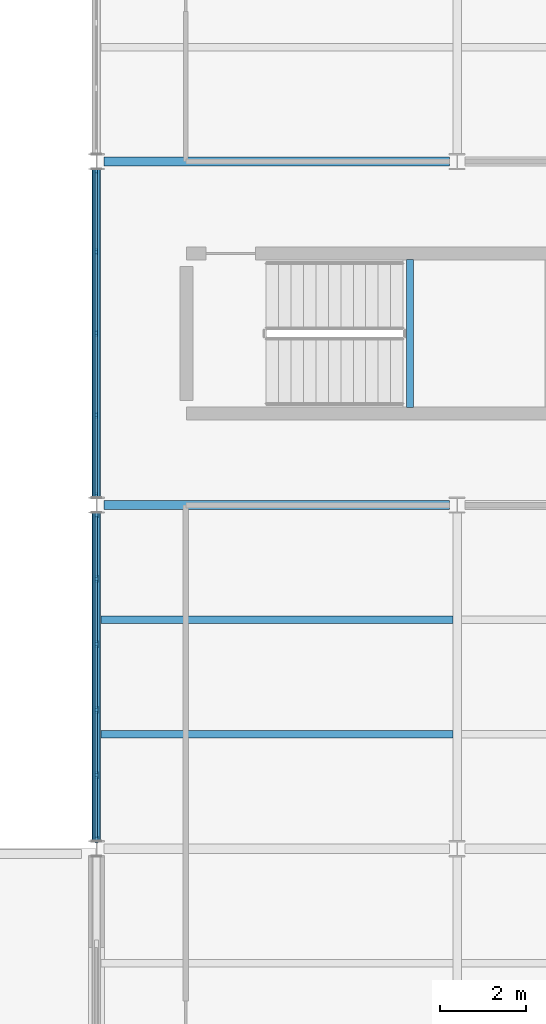
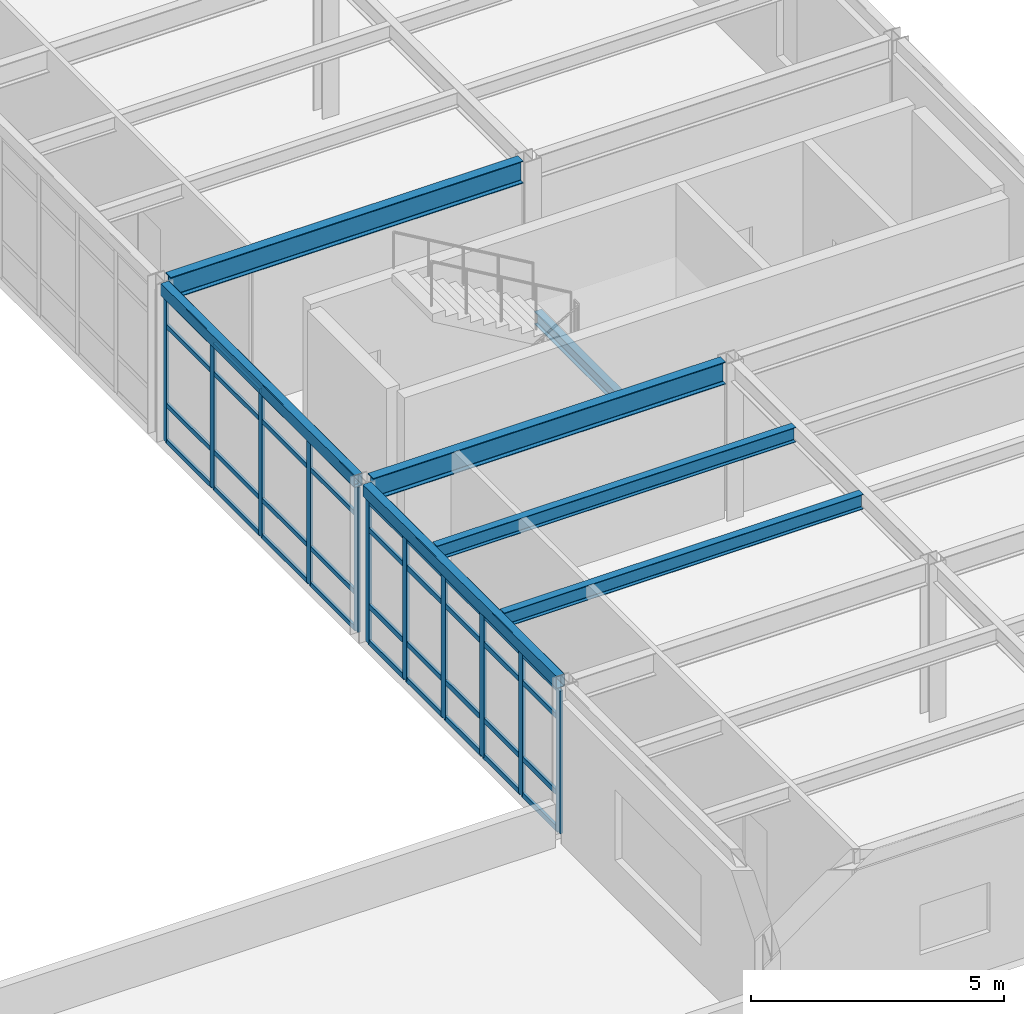
# One storey, part 52 of 138: 47 members, 7 beams, 2 elements without a shape of their own.
"""IFC4 building model written with IfcOpenShell, lengths in metres."""

from ifc_helpers import new_model, si_unit, direction, frame, origin, origin_2d, place, context, subcontext, project, spatial, rectangle, hollow_rectangle, i_section, extrude, material, layer, layer_set, material_profile, profile_set, type_object, element, aggregate, save


model = new_model("IFC4")

# Units and contexts
model_context = context("Model", 3, precision=1e-05, world=origin(), true_north=direction((0.0, 1.0)))
body_context = subcontext(model_context, "Body", "Model", "MODEL_VIEW")
ifc_project = project(units=[si_unit("LENGTHUNIT", "METRE"), si_unit("AREAUNIT", "SQUARE_METRE"), si_unit("VOLUMEUNIT", "CUBIC_METRE"), si_unit("PLANEANGLEUNIT", "RADIAN"), si_unit("MASSUNIT", "GRAM", prefix="KILO")], contexts=[model_context])

# Site, building, storey
site_placement = place(None, origin())
site = spatial("IfcSite", under=ifc_project, at=site_placement, CompositionType="ELEMENT")
building_placement = place(site_placement, origin())
building = spatial("IfcBuilding", under=site, at=building_placement, Name="Kranzveld Transit Interchange", CompositionType="ELEMENT")
storey_placement = place(building_placement, frame((0.0, 0.0, 5.43994140625)))
storey = spatial("IfcBuildingStorey", under=building, at=storey_placement, Name="L01", CompositionType="ELEMENT", Elevation=5.43994140625)

# Curtain wall, members
ifc_material_1 = material(Name="Bronze-anodised thermally broken aluminium", Category="aluminium")
ifc_layer_1 = layer(ifc_material_1, 0.159912109375)
ifc_layer_set_1 = layer_set([ifc_layer_1], Name="Bronze-anodised thermally broken aluminium")
curtain_wall_type_1 = type_object("IfcCurtainWallType", Name="Bus Boarding Glazed Screen CW-3", PredefinedType="USERDEFINED", material=ifc_layer_set_1)
curtain_wall_1_placement = place(storey_placement, origin())
curtain_wall_1 = element("IfcCurtainWall", 1, at=curtain_wall_1_placement, inside=storey, type_object=curtain_wall_type_1, Name="L01 Curtain Wall 19/K-19/L", ObjectType="CURTAIN WALL", PredefinedType="USERDEFINED")
ifc_material_2 = material(Name="Bronze-anodised thermally broken aluminium", Category="aluminium")
ifc_material_profile_1 = material_profile(ifc_material_2, rectangle(XDim=0.06005859375, YDim=0.14990234375, at=origin_2d()), Name="ALU MULLION 60x150")
ifc_profile_set_1 = profile_set([ifc_material_profile_1], Name="Bronze-anodised thermally broken aluminium")
member_type_1 = type_object("IfcMemberType", Name="Curtain Wall Mullion 60x150 Alu", PredefinedType="MULLION", material=ifc_profile_set_1)
member_1_placement = place(storey_placement, frame((151.199951171875, 72.21728515625, 0.0), z_axis=(0.0, 0.0, 1.0), x_axis=(-1.0, 0.0, 0.0)))
member_1 = element("IfcMember", 2, at=member_1_placement, type_object=member_type_1, Name="CW-3 mullion 1", PredefinedType="MULLION", context=body_context, shape_type="SweptSolid", body=[
    extrude(rectangle(XDim=0.06005859375, YDim=0.14990234375, at=origin_2d()), origin(), (0.0, 0.0, 1.0), 3.5),
])
member_2_placement = place(storey_placement, frame((151.199951171875, 74.09375, 0.0), z_axis=(0.0, 0.0, 1.0), x_axis=(-1.0, 0.0, 0.0)))
member_2 = element("IfcMember", 3, at=member_2_placement, type_object=member_type_1, Name="CW-3 mullion 2", PredefinedType="MULLION", context=body_context, shape_type="SweptSolid", body=[
    extrude(rectangle(XDim=0.06005859375, YDim=0.14990234375, at=origin_2d()), origin(), (0.0, 0.0, 1.0), 3.5),
])
member_3_placement = place(storey_placement, frame((151.199951171875, 76.0, 0.0), z_axis=(0.0, 0.0, 1.0), x_axis=(-1.0, 0.0, 0.0)))
member_3 = element("IfcMember", 4, at=member_3_placement, type_object=member_type_1, Name="CW-3 mullion 3", PredefinedType="MULLION", context=body_context, shape_type="SweptSolid", body=[
    extrude(rectangle(XDim=0.06005859375, YDim=0.14990234375, at=origin_2d()), origin(), (0.0, 0.0, 1.0), 3.5),
])
member_4_placement = place(storey_placement, frame((151.199951171875, 77.90625, 0.0), z_axis=(0.0, 0.0, 1.0), x_axis=(-1.0, 0.0, 0.0)))
member_4 = element("IfcMember", 5, at=member_4_placement, type_object=member_type_1, Name="CW-3 mullion 4", PredefinedType="MULLION", context=body_context, shape_type="SweptSolid", body=[
    extrude(rectangle(XDim=0.06005859375, YDim=0.14990234375, at=origin_2d()), origin(), (0.0, 0.0, 1.0), 3.5),
])
member_5_placement = place(storey_placement, frame((151.199951171875, 79.78271484375, 0.0), z_axis=(0.0, 0.0, 1.0), x_axis=(-1.0, 0.0, 0.0)))
member_5 = element("IfcMember", 6, at=member_5_placement, type_object=member_type_1, Name="CW-3 mullion 5", PredefinedType="MULLION", context=body_context, shape_type="SweptSolid", body=[
    extrude(rectangle(XDim=0.06005859375, YDim=0.14990234375, at=origin_2d()), origin(), (0.0, 0.0, 1.0), 3.5),
])

ifc_material_3 = material(Name="Bronze-anodised thermally broken aluminium", Category="aluminium")
ifc_layer_2 = layer(ifc_material_3, 0.1650390625)
ifc_layer_set_2 = layer_set([ifc_layer_2], Name="Bronze-anodised thermally broken aluminium")
curtain_wall_type_2 = type_object("IfcCurtainWallType", Name="Sunny Court Arcade Curtain Wall CW-2", PredefinedType="USERDEFINED", material=ifc_layer_set_2)
curtain_wall_2_placement = place(storey_placement, origin())
curtain_wall_2 = element("IfcCurtainWall", 7, at=curtain_wall_2_placement, inside=storey, type_object=curtain_wall_type_2, Name="L01 Curtain Wall 19/J-19/K", ObjectType="CURTAIN WALL", PredefinedType="USERDEFINED")
ifc_material_4 = material(Name="Bronze-anodised thermally broken aluminium", Category="aluminium")
ifc_material_profile_2 = material_profile(ifc_material_4, rectangle(XDim=0.06494140625, YDim=0.1650390625, at=origin_2d()), Name="ALU MULLION 65x165")
ifc_profile_set_2 = profile_set([ifc_material_profile_2], Name="Bronze-anodised thermally broken aluminium")
member_type_2 = type_object("IfcMemberType", Name="Curtain Wall Mullion 65x165 Alu", PredefinedType="MULLION", material=ifc_profile_set_2)
member_6_placement = place(storey_placement, frame((151.199951171875, 64.2197265625, 0.0), z_axis=(0.0, 0.0, 1.0), x_axis=(-1.0, 0.0, 0.0)))
member_6 = element("IfcMember", 8, at=member_6_placement, type_object=member_type_2, Name="CW-2 mullion 1", PredefinedType="MULLION", context=body_context, shape_type="SweptSolid", body=[
    extrude(rectangle(XDim=0.06494140625, YDim=0.1650390625, at=origin_2d()), origin(), (0.0, 0.0, 1.0), 3.442138671875),
])
member_7_placement = place(storey_placement, frame((151.199951171875, 65.71240234375, 0.0), z_axis=(0.0, 0.0, 1.0), x_axis=(-1.0, 0.0, 0.0)))
member_7 = element("IfcMember", 9, at=member_7_placement, type_object=member_type_2, Name="CW-2 mullion 2", PredefinedType="MULLION", context=body_context, shape_type="SweptSolid", body=[
    extrude(rectangle(XDim=0.06494140625, YDim=0.1650390625, at=origin_2d()), origin(), (0.0, 0.0, 1.0), 3.442138671875),
])
member_8_placement = place(storey_placement, frame((151.199951171875, 67.237548828125, 0.0), z_axis=(0.0, 0.0, 1.0), x_axis=(-1.0, 0.0, 0.0)))
member_8 = element("IfcMember", 10, at=member_8_placement, type_object=member_type_2, Name="CW-2 mullion 3", PredefinedType="MULLION", context=body_context, shape_type="SweptSolid", body=[
    extrude(rectangle(XDim=0.06494140625, YDim=0.1650390625, at=origin_2d()), origin(), (0.0, 0.0, 1.0), 3.442138671875),
])
member_9_placement = place(storey_placement, frame((151.199951171875, 68.762451171875, 0.0), z_axis=(0.0, 0.0, 1.0), x_axis=(-1.0, 0.0, 0.0)))
member_9 = element("IfcMember", 11, at=member_9_placement, type_object=member_type_2, Name="CW-2 mullion 4", PredefinedType="MULLION", context=body_context, shape_type="SweptSolid", body=[
    extrude(rectangle(XDim=0.06494140625, YDim=0.1650390625, at=origin_2d()), origin(), (0.0, 0.0, 1.0), 3.442138671875),
])
member_10_placement = place(storey_placement, frame((151.199951171875, 70.28759765625, 0.0), z_axis=(0.0, 0.0, 1.0), x_axis=(-1.0, 0.0, 0.0)))
member_10 = element("IfcMember", 12, at=member_10_placement, type_object=member_type_2, Name="CW-2 mullion 5", PredefinedType="MULLION", context=body_context, shape_type="SweptSolid", body=[
    extrude(rectangle(XDim=0.06494140625, YDim=0.1650390625, at=origin_2d()), origin(), (0.0, 0.0, 1.0), 3.442138671875),
])
member_11_placement = place(storey_placement, frame((151.199951171875, 71.7802734375, 0.0), z_axis=(0.0, 0.0, 1.0), x_axis=(-1.0, 0.0, 0.0)))
member_11 = element("IfcMember", 13, at=member_11_placement, type_object=member_type_2, Name="CW-2 mullion 6", PredefinedType="MULLION", context=body_context, shape_type="SweptSolid", body=[
    extrude(rectangle(XDim=0.06494140625, YDim=0.1650390625, at=origin_2d()), origin(), (0.0, 0.0, 1.0), 3.442138671875),
])

# Member
ifc_material_5 = material(Name="Bronze-anodised thermally broken aluminium", Category="aluminium")
ifc_material_profile_3 = material_profile(ifc_material_5, rectangle(XDim=0.06005859375, YDim=0.110107421875, at=origin_2d()), Name="ALU TRANSOM 60x110")
ifc_profile_set_3 = profile_set([ifc_material_profile_3], Name="Bronze-anodised thermally broken aluminium")
member_type_3 = type_object("IfcMemberType", Name="Curtain Wall Transom 60x110 Alu", PredefinedType="USERDEFINED", material=ifc_profile_set_3)
member_12_placement = place(storey_placement, frame((151.199951171875, 72.247314453125, 0.030029296875), z_axis=(0.0, 1.0, 0.0), x_axis=(-1.0, 0.0, 0.0)))
member_12 = element("IfcMember", 14, at=member_12_placement, type_object=member_type_3, Name="CW-3 transom 1.1", ObjectType="TRANSOM", PredefinedType="USERDEFINED", context=body_context, shape_type="SweptSolid", body=[
    extrude(rectangle(XDim=0.06005859375, YDim=0.110107421875, at=origin_2d()), origin(), (0.0, 0.0, 1.0), 1.81640625),
])

member_13_placement = place(storey_placement, frame((151.199951171875, 72.247314453125, 0.900146484375), z_axis=(0.0, 1.0, 0.0), x_axis=(-1.0, 0.0, 0.0)))
member_13 = element("IfcMember", 15, at=member_13_placement, type_object=member_type_3, Name="CW-3 transom 1.2", ObjectType="TRANSOM", PredefinedType="USERDEFINED", context=body_context, shape_type="SweptSolid", body=[
    extrude(rectangle(XDim=0.06005859375, YDim=0.110107421875, at=origin_2d()), origin(), (0.0, 0.0, 1.0), 1.81640625),
])

member_14_placement = place(storey_placement, frame((151.199951171875, 72.247314453125, 2.800048828125), z_axis=(0.0, 1.0, 0.0), x_axis=(-1.0, 0.0, 0.0)))
member_14 = element("IfcMember", 16, at=member_14_placement, type_object=member_type_3, Name="CW-3 transom 1.3", ObjectType="TRANSOM", PredefinedType="USERDEFINED", context=body_context, shape_type="SweptSolid", body=[
    extrude(rectangle(XDim=0.06005859375, YDim=0.110107421875, at=origin_2d()), origin(), (0.0, 0.0, 1.0), 1.81640625),
])

member_15_placement = place(storey_placement, frame((151.199951171875, 72.247314453125, 3.469970703125), z_axis=(0.0, 1.0, 0.0), x_axis=(-1.0, 0.0, 0.0)))
member_15 = element("IfcMember", 17, at=member_15_placement, type_object=member_type_3, Name="CW-3 transom 1.4", ObjectType="TRANSOM", PredefinedType="USERDEFINED", context=body_context, shape_type="SweptSolid", body=[
    extrude(rectangle(XDim=0.06005859375, YDim=0.110107421875, at=origin_2d()), origin(), (0.0, 0.0, 1.0), 1.81640625),
])

member_16_placement = place(storey_placement, frame((151.199951171875, 74.12353515625, 0.030029296875), z_axis=(0.0, 1.0, 0.0), x_axis=(-1.0, 0.0, 0.0)))
member_16 = element("IfcMember", 18, at=member_16_placement, type_object=member_type_3, Name="CW-3 transom 2.1", ObjectType="TRANSOM", PredefinedType="USERDEFINED", context=body_context, shape_type="SweptSolid", body=[
    extrude(rectangle(XDim=0.06005859375, YDim=0.110107421875, at=origin_2d()), origin(), (0.0, 0.0, 1.0), 1.846435546875),
])

member_17_placement = place(storey_placement, frame((151.199951171875, 74.12353515625, 0.900146484375), z_axis=(0.0, 1.0, 0.0), x_axis=(-1.0, 0.0, 0.0)))
member_17 = element("IfcMember", 19, at=member_17_placement, type_object=member_type_3, Name="CW-3 transom 2.2", ObjectType="TRANSOM", PredefinedType="USERDEFINED", context=body_context, shape_type="SweptSolid", body=[
    extrude(rectangle(XDim=0.06005859375, YDim=0.110107421875, at=origin_2d()), origin(), (0.0, 0.0, 1.0), 1.846435546875),
])

member_18_placement = place(storey_placement, frame((151.199951171875, 74.12353515625, 2.800048828125), z_axis=(0.0, 1.0, 0.0), x_axis=(-1.0, 0.0, 0.0)))
member_18 = element("IfcMember", 20, at=member_18_placement, type_object=member_type_3, Name="CW-3 transom 2.3", ObjectType="TRANSOM", PredefinedType="USERDEFINED", context=body_context, shape_type="SweptSolid", body=[
    extrude(rectangle(XDim=0.06005859375, YDim=0.110107421875, at=origin_2d()), origin(), (0.0, 0.0, 1.0), 1.846435546875),
])

member_19_placement = place(storey_placement, frame((151.199951171875, 74.12353515625, 3.469970703125), z_axis=(0.0, 1.0, 0.0), x_axis=(-1.0, 0.0, 0.0)))
member_19 = element("IfcMember", 21, at=member_19_placement, type_object=member_type_3, Name="CW-3 transom 2.4", ObjectType="TRANSOM", PredefinedType="USERDEFINED", context=body_context, shape_type="SweptSolid", body=[
    extrude(rectangle(XDim=0.06005859375, YDim=0.110107421875, at=origin_2d()), origin(), (0.0, 0.0, 1.0), 1.846435546875),
])

member_20_placement = place(storey_placement, frame((151.199951171875, 76.030029296875, 0.030029296875), z_axis=(0.0, 1.0, 0.0), x_axis=(-1.0, 0.0, 0.0)))
member_20 = element("IfcMember", 22, at=member_20_placement, type_object=member_type_3, Name="CW-3 transom 3.1", ObjectType="TRANSOM", PredefinedType="USERDEFINED", context=body_context, shape_type="SweptSolid", body=[
    extrude(rectangle(XDim=0.06005859375, YDim=0.110107421875, at=origin_2d()), origin(), (0.0, 0.0, 1.0), 1.846435546875),
])

member_21_placement = place(storey_placement, frame((151.199951171875, 76.030029296875, 0.900146484375), z_axis=(0.0, 1.0, 0.0), x_axis=(-1.0, 0.0, 0.0)))
member_21 = element("IfcMember", 23, at=member_21_placement, type_object=member_type_3, Name="CW-3 transom 3.2", ObjectType="TRANSOM", PredefinedType="USERDEFINED", context=body_context, shape_type="SweptSolid", body=[
    extrude(rectangle(XDim=0.06005859375, YDim=0.110107421875, at=origin_2d()), origin(), (0.0, 0.0, 1.0), 1.846435546875),
])

member_22_placement = place(storey_placement, frame((151.199951171875, 76.030029296875, 2.800048828125), z_axis=(0.0, 1.0, 0.0), x_axis=(-1.0, 0.0, 0.0)))
member_22 = element("IfcMember", 24, at=member_22_placement, type_object=member_type_3, Name="CW-3 transom 3.3", ObjectType="TRANSOM", PredefinedType="USERDEFINED", context=body_context, shape_type="SweptSolid", body=[
    extrude(rectangle(XDim=0.06005859375, YDim=0.110107421875, at=origin_2d()), origin(), (0.0, 0.0, 1.0), 1.846435546875),
])

member_23_placement = place(storey_placement, frame((151.199951171875, 76.030029296875, 3.469970703125), z_axis=(0.0, 1.0, 0.0), x_axis=(-1.0, 0.0, 0.0)))
member_23 = element("IfcMember", 25, at=member_23_placement, type_object=member_type_3, Name="CW-3 transom 3.4", ObjectType="TRANSOM", PredefinedType="USERDEFINED", context=body_context, shape_type="SweptSolid", body=[
    extrude(rectangle(XDim=0.06005859375, YDim=0.110107421875, at=origin_2d()), origin(), (0.0, 0.0, 1.0), 1.846435546875),
])

member_24_placement = place(storey_placement, frame((151.199951171875, 77.936279296875, 0.030029296875), z_axis=(0.0, 1.0, 0.0), x_axis=(-1.0, 0.0, 0.0)))
member_24 = element("IfcMember", 26, at=member_24_placement, type_object=member_type_3, Name="CW-3 transom 4.1", ObjectType="TRANSOM", PredefinedType="USERDEFINED", context=body_context, shape_type="SweptSolid", body=[
    extrude(rectangle(XDim=0.06005859375, YDim=0.110107421875, at=origin_2d()), origin(), (0.0, 0.0, 1.0), 1.81640625),
])

member_25_placement = place(storey_placement, frame((151.199951171875, 77.936279296875, 0.900146484375), z_axis=(0.0, 1.0, 0.0), x_axis=(-1.0, 0.0, 0.0)))
member_25 = element("IfcMember", 27, at=member_25_placement, type_object=member_type_3, Name="CW-3 transom 4.2", ObjectType="TRANSOM", PredefinedType="USERDEFINED", context=body_context, shape_type="SweptSolid", body=[
    extrude(rectangle(XDim=0.06005859375, YDim=0.110107421875, at=origin_2d()), origin(), (0.0, 0.0, 1.0), 1.81640625),
])

member_26_placement = place(storey_placement, frame((151.199951171875, 77.936279296875, 2.800048828125), z_axis=(0.0, 1.0, 0.0), x_axis=(-1.0, 0.0, 0.0)))
member_26 = element("IfcMember", 28, at=member_26_placement, type_object=member_type_3, Name="CW-3 transom 4.3", ObjectType="TRANSOM", PredefinedType="USERDEFINED", context=body_context, shape_type="SweptSolid", body=[
    extrude(rectangle(XDim=0.06005859375, YDim=0.110107421875, at=origin_2d()), origin(), (0.0, 0.0, 1.0), 1.81640625),
])

member_27_placement = place(storey_placement, frame((151.199951171875, 77.936279296875, 3.469970703125), z_axis=(0.0, 1.0, 0.0), x_axis=(-1.0, 0.0, 0.0)))
member_27 = element("IfcMember", 29, at=member_27_placement, type_object=member_type_3, Name="CW-3 transom 4.4", ObjectType="TRANSOM", PredefinedType="USERDEFINED", context=body_context, shape_type="SweptSolid", body=[
    extrude(rectangle(XDim=0.06005859375, YDim=0.110107421875, at=origin_2d()), origin(), (0.0, 0.0, 1.0), 1.81640625),
])

aggregate(curtain_wall_1, [member_1, member_2, member_3, member_4, member_5, member_12, member_13, member_14, member_15, member_16, member_17, member_18, member_19, member_20, member_21, member_22, member_23, member_24, member_25, member_26, member_27])

ifc_material_6 = material(Name="Bronze-anodised thermally broken aluminium", Category="aluminium")
ifc_material_profile_4 = material_profile(ifc_material_6, rectangle(XDim=0.06005859375, YDim=0.125, at=origin_2d()), Name="ALU TRANSOM 60x125")
ifc_profile_set_4 = profile_set([ifc_material_profile_4], Name="Bronze-anodised thermally broken aluminium")
member_type_4 = type_object("IfcMemberType", Name="Curtain Wall Transom 60x125 Alu", PredefinedType="USERDEFINED", material=ifc_profile_set_4)
member_28_placement = place(storey_placement, frame((151.199951171875, 64.252197265625, 0.030029296875), z_axis=(0.0, 1.0, 0.0), x_axis=(-1.0, 0.0, 0.0)))
member_28 = element("IfcMember", 30, at=member_28_placement, type_object=member_type_4, Name="CW-2 transom 1.1", ObjectType="TRANSOM", PredefinedType="USERDEFINED", context=body_context, shape_type="SweptSolid", body=[
    extrude(rectangle(XDim=0.06005859375, YDim=0.125, at=origin_2d()), origin(), (0.0, 0.0, 1.0), 1.427734375),
])

member_29_placement = place(storey_placement, frame((151.199951171875, 64.252197265625, 0.900146484375), z_axis=(0.0, 1.0, 0.0), x_axis=(-1.0, 0.0, 0.0)))
member_29 = element("IfcMember", 31, at=member_29_placement, type_object=member_type_4, Name="CW-2 transom 1.2", ObjectType="TRANSOM", PredefinedType="USERDEFINED", context=body_context, shape_type="SweptSolid", body=[
    extrude(rectangle(XDim=0.06005859375, YDim=0.125, at=origin_2d()), origin(), (0.0, 0.0, 1.0), 1.427734375),
])

member_30_placement = place(storey_placement, frame((151.199951171875, 64.252197265625, 2.741943359375), z_axis=(0.0, 1.0, 0.0), x_axis=(-1.0, 0.0, 0.0)))
member_30 = element("IfcMember", 32, at=member_30_placement, type_object=member_type_4, Name="CW-2 transom 1.3", ObjectType="TRANSOM", PredefinedType="USERDEFINED", context=body_context, shape_type="SweptSolid", body=[
    extrude(rectangle(XDim=0.06005859375, YDim=0.125, at=origin_2d()), origin(), (0.0, 0.0, 1.0), 1.427734375),
])

member_31_placement = place(storey_placement, frame((151.199951171875, 64.252197265625, 3.412109375), z_axis=(0.0, 1.0, 0.0), x_axis=(-1.0, 0.0, 0.0)))
member_31 = element("IfcMember", 33, at=member_31_placement, type_object=member_type_4, Name="CW-2 transom 1.4", ObjectType="TRANSOM", PredefinedType="USERDEFINED", context=body_context, shape_type="SweptSolid", body=[
    extrude(rectangle(XDim=0.06005859375, YDim=0.125, at=origin_2d()), origin(), (0.0, 0.0, 1.0), 1.427734375),
])

member_32_placement = place(storey_placement, frame((151.199951171875, 65.744873046875, 0.030029296875), z_axis=(0.0, 1.0, 0.0), x_axis=(-1.0, 0.0, 0.0)))
member_32 = element("IfcMember", 34, at=member_32_placement, type_object=member_type_4, Name="CW-2 transom 2.1", ObjectType="TRANSOM", PredefinedType="USERDEFINED", context=body_context, shape_type="SweptSolid", body=[
    extrude(rectangle(XDim=0.06005859375, YDim=0.125, at=origin_2d()), origin(), (0.0, 0.0, 1.0), 1.460205078125),
])

member_33_placement = place(storey_placement, frame((151.199951171875, 65.744873046875, 0.900146484375), z_axis=(0.0, 1.0, 0.0), x_axis=(-1.0, 0.0, 0.0)))
member_33 = element("IfcMember", 35, at=member_33_placement, type_object=member_type_4, Name="CW-2 transom 2.2", ObjectType="TRANSOM", PredefinedType="USERDEFINED", context=body_context, shape_type="SweptSolid", body=[
    extrude(rectangle(XDim=0.06005859375, YDim=0.125, at=origin_2d()), origin(), (0.0, 0.0, 1.0), 1.460205078125),
])

member_34_placement = place(storey_placement, frame((151.199951171875, 65.744873046875, 2.741943359375), z_axis=(0.0, 1.0, 0.0), x_axis=(-1.0, 0.0, 0.0)))
member_34 = element("IfcMember", 36, at=member_34_placement, type_object=member_type_4, Name="CW-2 transom 2.3", ObjectType="TRANSOM", PredefinedType="USERDEFINED", context=body_context, shape_type="SweptSolid", body=[
    extrude(rectangle(XDim=0.06005859375, YDim=0.125, at=origin_2d()), origin(), (0.0, 0.0, 1.0), 1.460205078125),
])

member_35_placement = place(storey_placement, frame((151.199951171875, 65.744873046875, 3.412109375), z_axis=(0.0, 1.0, 0.0), x_axis=(-1.0, 0.0, 0.0)))
member_35 = element("IfcMember", 37, at=member_35_placement, type_object=member_type_4, Name="CW-2 transom 2.4", ObjectType="TRANSOM", PredefinedType="USERDEFINED", context=body_context, shape_type="SweptSolid", body=[
    extrude(rectangle(XDim=0.06005859375, YDim=0.125, at=origin_2d()), origin(), (0.0, 0.0, 1.0), 1.460205078125),
])

member_36_placement = place(storey_placement, frame((151.199951171875, 67.27001953125, 0.030029296875), z_axis=(0.0, 1.0, 0.0), x_axis=(-1.0, 0.0, 0.0)))
member_36 = element("IfcMember", 38, at=member_36_placement, type_object=member_type_4, Name="CW-2 transom 3.1", ObjectType="TRANSOM", PredefinedType="USERDEFINED", context=body_context, shape_type="SweptSolid", body=[
    extrude(rectangle(XDim=0.06005859375, YDim=0.125, at=origin_2d()), origin(), (0.0, 0.0, 1.0), 1.4599609375),
])

member_37_placement = place(storey_placement, frame((151.199951171875, 67.27001953125, 0.900146484375), z_axis=(0.0, 1.0, 0.0), x_axis=(-1.0, 0.0, 0.0)))
member_37 = element("IfcMember", 39, at=member_37_placement, type_object=member_type_4, Name="CW-2 transom 3.2", ObjectType="TRANSOM", PredefinedType="USERDEFINED", context=body_context, shape_type="SweptSolid", body=[
    extrude(rectangle(XDim=0.06005859375, YDim=0.125, at=origin_2d()), origin(), (0.0, 0.0, 1.0), 1.4599609375),
])

member_38_placement = place(storey_placement, frame((151.199951171875, 67.27001953125, 2.741943359375), z_axis=(0.0, 1.0, 0.0), x_axis=(-1.0, 0.0, 0.0)))
member_38 = element("IfcMember", 40, at=member_38_placement, type_object=member_type_4, Name="CW-2 transom 3.3", ObjectType="TRANSOM", PredefinedType="USERDEFINED", context=body_context, shape_type="SweptSolid", body=[
    extrude(rectangle(XDim=0.06005859375, YDim=0.125, at=origin_2d()), origin(), (0.0, 0.0, 1.0), 1.4599609375),
])

member_39_placement = place(storey_placement, frame((151.199951171875, 67.27001953125, 3.412109375), z_axis=(0.0, 1.0, 0.0), x_axis=(-1.0, 0.0, 0.0)))
member_39 = element("IfcMember", 41, at=member_39_placement, type_object=member_type_4, Name="CW-2 transom 3.4", ObjectType="TRANSOM", PredefinedType="USERDEFINED", context=body_context, shape_type="SweptSolid", body=[
    extrude(rectangle(XDim=0.06005859375, YDim=0.125, at=origin_2d()), origin(), (0.0, 0.0, 1.0), 1.4599609375),
])

member_40_placement = place(storey_placement, frame((151.199951171875, 68.794921875, 0.030029296875), z_axis=(0.0, 1.0, 0.0), x_axis=(-1.0, 0.0, 0.0)))
member_40 = element("IfcMember", 42, at=member_40_placement, type_object=member_type_4, Name="CW-2 transom 4.1", ObjectType="TRANSOM", PredefinedType="USERDEFINED", context=body_context, shape_type="SweptSolid", body=[
    extrude(rectangle(XDim=0.06005859375, YDim=0.125, at=origin_2d()), origin(), (0.0, 0.0, 1.0), 1.460205078125),
])

member_41_placement = place(storey_placement, frame((151.199951171875, 68.794921875, 0.900146484375), z_axis=(0.0, 1.0, 0.0), x_axis=(-1.0, 0.0, 0.0)))
member_41 = element("IfcMember", 43, at=member_41_placement, type_object=member_type_4, Name="CW-2 transom 4.2", ObjectType="TRANSOM", PredefinedType="USERDEFINED", context=body_context, shape_type="SweptSolid", body=[
    extrude(rectangle(XDim=0.06005859375, YDim=0.125, at=origin_2d()), origin(), (0.0, 0.0, 1.0), 1.460205078125),
])

member_42_placement = place(storey_placement, frame((151.199951171875, 68.794921875, 2.741943359375), z_axis=(0.0, 1.0, 0.0), x_axis=(-1.0, 0.0, 0.0)))
member_42 = element("IfcMember", 44, at=member_42_placement, type_object=member_type_4, Name="CW-2 transom 4.3", ObjectType="TRANSOM", PredefinedType="USERDEFINED", context=body_context, shape_type="SweptSolid", body=[
    extrude(rectangle(XDim=0.06005859375, YDim=0.125, at=origin_2d()), origin(), (0.0, 0.0, 1.0), 1.460205078125),
])

member_43_placement = place(storey_placement, frame((151.199951171875, 68.794921875, 3.412109375), z_axis=(0.0, 1.0, 0.0), x_axis=(-1.0, 0.0, 0.0)))
member_43 = element("IfcMember", 45, at=member_43_placement, type_object=member_type_4, Name="CW-2 transom 4.4", ObjectType="TRANSOM", PredefinedType="USERDEFINED", context=body_context, shape_type="SweptSolid", body=[
    extrude(rectangle(XDim=0.06005859375, YDim=0.125, at=origin_2d()), origin(), (0.0, 0.0, 1.0), 1.460205078125),
])

member_44_placement = place(storey_placement, frame((151.199951171875, 70.320068359375, 0.030029296875), z_axis=(0.0, 1.0, 0.0), x_axis=(-1.0, 0.0, 0.0)))
member_44 = element("IfcMember", 46, at=member_44_placement, type_object=member_type_4, Name="CW-2 transom 5.1", ObjectType="TRANSOM", PredefinedType="USERDEFINED", context=body_context, shape_type="SweptSolid", body=[
    extrude(rectangle(XDim=0.06005859375, YDim=0.125, at=origin_2d()), origin(), (0.0, 0.0, 1.0), 1.427734375),
])

member_45_placement = place(storey_placement, frame((151.199951171875, 70.320068359375, 0.900146484375), z_axis=(0.0, 1.0, 0.0), x_axis=(-1.0, 0.0, 0.0)))
member_45 = element("IfcMember", 47, at=member_45_placement, type_object=member_type_4, Name="CW-2 transom 5.2", ObjectType="TRANSOM", PredefinedType="USERDEFINED", context=body_context, shape_type="SweptSolid", body=[
    extrude(rectangle(XDim=0.06005859375, YDim=0.125, at=origin_2d()), origin(), (0.0, 0.0, 1.0), 1.427734375),
])

member_46_placement = place(storey_placement, frame((151.199951171875, 70.320068359375, 2.741943359375), z_axis=(0.0, 1.0, 0.0), x_axis=(-1.0, 0.0, 0.0)))
member_46 = element("IfcMember", 48, at=member_46_placement, type_object=member_type_4, Name="CW-2 transom 5.3", ObjectType="TRANSOM", PredefinedType="USERDEFINED", context=body_context, shape_type="SweptSolid", body=[
    extrude(rectangle(XDim=0.06005859375, YDim=0.125, at=origin_2d()), origin(), (0.0, 0.0, 1.0), 1.427734375),
])

member_47_placement = place(storey_placement, frame((151.199951171875, 70.320068359375, 3.412109375), z_axis=(0.0, 1.0, 0.0), x_axis=(-1.0, 0.0, 0.0)))
member_47 = element("IfcMember", 49, at=member_47_placement, type_object=member_type_4, Name="CW-2 transom 5.4", ObjectType="TRANSOM", PredefinedType="USERDEFINED", context=body_context, shape_type="SweptSolid", body=[
    extrude(rectangle(XDim=0.06005859375, YDim=0.125, at=origin_2d()), origin(), (0.0, 0.0, 1.0), 1.427734375),
])

aggregate(curtain_wall_2, [member_6, member_7, member_8, member_9, member_10, member_11, member_28, member_29, member_30, member_31, member_32, member_33, member_34, member_35, member_36, member_37, member_38, member_39, member_40, member_41, member_42, member_43, member_44, member_45, member_46, member_47])

# Beams
ifc_material_7 = material(Name="Steel S355JR", Category="steel")
ifc_material_profile_5 = material_profile(ifc_material_7, hollow_rectangle(XDim=0.199951171875, YDim=0.300048828125, WallThickness=0.010009765625, InnerFilletRadius=0.014892578125, OuterFilletRadius=0.02490234375, at=origin_2d()), Name="RHS 300x200x10")
ifc_profile_set_5 = profile_set([ifc_material_profile_5], Name="Steel S355JR")
beam_type_1 = type_object("IfcBeamType", Name="Edge Spandrel RHS 300x200x10 S355JR", PredefinedType="SPANDREL", material=ifc_profile_set_5)
for number, where, z_axis, x_axis, name in (
    (50, (151.199951171875, 64.17724609375, 3.650146484375), (0.0, 1.0, 0.0), (-1.0, 0.0, 0.0), "L01 Girder 19/J-K"),
    (51, (151.199951171875, 72.17724609375, 3.650146484375), (0.0, 1.0, 0.0), (-1.0, 0.0, 0.0), "L01 Girder 19/K-L"),
):
    element("IfcBeam", number, at=place(storey_placement, frame(where, z_axis=z_axis, x_axis=x_axis)), inside=storey, type_object=beam_type_1, Name=name, PredefinedType="SPANDREL", context=body_context, shape_type="SweptSolid", body=[
        extrude(hollow_rectangle(XDim=0.199951171875, YDim=0.300048828125, WallThickness=0.010009765625, InnerFilletRadius=0.014892578125, OuterFilletRadius=0.02490234375, at=origin_2d()), origin(), (0.0, 0.0, 1.0), 7.6455078125),
    ])
ifc_material_8 = material(Name="Steel S355JR", Category="steel")
ifc_material_profile_6 = material_profile(ifc_material_8, i_section(OverallWidth=0.172119140625, OverallDepth=0.35791015625, WebThickness=0.008056640625, FlangeThickness=0.012939453125, FilletRadius=0.01025390625, at=origin_2d()), Name="UB 356x171x57")
ifc_profile_set_6 = profile_set([ifc_material_profile_6], Name="Steel S355JR")
beam_type_2 = type_object("IfcBeamType", Name="Floor Joist UB 356x171x57 S355JR", PredefinedType="JOIST", material=ifc_profile_set_6)
for number, where, z_axis, x_axis, name in (
    (52, (151.302001953125, 66.666748046875, 3.62109375), (1.0, 0.0, 0.0), (0.0, 1.0, 0.0), "L01 Secondary Joist 19-20/J.1"),
    (53, (151.302001953125, 69.333251953125, 3.62109375), (1.0, 0.0, 0.0), (0.0, 1.0, 0.0), "L01 Secondary Joist 19-20/J.2"),
):
    element("IfcBeam", number, at=place(storey_placement, frame(where, z_axis=z_axis, x_axis=x_axis)), inside=storey, type_object=beam_type_2, Name=name, PredefinedType="JOIST", context=body_context, shape_type="SweptSolid", body=[
        extrude(i_section(OverallWidth=0.172119140625, OverallDepth=0.35791015625, WebThickness=0.008056640625, FlangeThickness=0.012939453125, FilletRadius=0.01025390625, at=origin_2d()), origin(), (0.0, 0.0, 1.0), 8.199951171875),
    ])
ifc_material_9 = material(Name="Steel S355JR", Category="steel")
ifc_material_profile_7 = material_profile(ifc_material_9, i_section(OverallWidth=0.210693359375, OverallDepth=0.53955078125, WebThickness=0.01171875, FlangeThickness=0.018798828125, FilletRadius=0.0126953125, at=origin_2d()), Name="UB 533x210x109")
ifc_profile_set_7 = profile_set([ifc_material_profile_7], Name="Steel S355JR")
beam_type_3 = type_object("IfcBeamType", Name="Girder Steel UB 533x210x109 S355JR", PredefinedType="BEAM", material=ifc_profile_set_7)
for number, where, z_axis, x_axis, name in (
    (54, (151.377197265625, 72.0, 3.5302734375), (1.0, 0.0, 0.0), (0.0, 1.0, 0.0), "L01 Girder 19-20/K"),
    (55, (151.377197265625, 80.0, 3.5302734375), (1.0, 0.0, 0.0), (0.0, 1.0, 0.0), "L01 Girder 19-20/L"),
):
    element("IfcBeam", number, at=place(storey_placement, frame(where, z_axis=z_axis, x_axis=x_axis)), inside=storey, type_object=beam_type_3, Name=name, PredefinedType="BEAM", context=body_context, shape_type="SweptSolid", body=[
        extrude(i_section(OverallWidth=0.210693359375, OverallDepth=0.53955078125, WebThickness=0.01171875, FlangeThickness=0.018798828125, FilletRadius=0.0126953125, at=origin_2d()), origin(), (0.0, 0.0, 1.0), 8.04541015625),
    ])
ifc_material_10 = material(Name="Steel S355JR", Category="steel")
ifc_material_profile_8 = material_profile(ifc_material_10, i_section(OverallWidth=0.165771484375, OverallDepth=0.306640625, WebThickness=0.006591796875, FlangeThickness=0.01171875, FilletRadius=0.0087890625, at=origin_2d()), Name="UB 305x165x46")
ifc_profile_set_8 = profile_set([ifc_material_profile_8], Name="Steel S355JR")
beam_type_4 = type_object("IfcBeamType", Name="Roof Joist UB 305x165x46 S355JR", PredefinedType="JOIST", material=ifc_profile_set_8)
beam_placement = place(storey_placement, frame((158.5, 74.280029296875, 1.686767578125), z_axis=(0.0, 1.0, 0.0), x_axis=(-1.0, 0.0, 0.0)))
element("IfcBeam", 56, at=beam_placement, inside=storey, type_object=beam_type_4, Name="L01 ST-V4B Half-Landing Support Beam", PredefinedType="BEAM", context=body_context, shape_type="SweptSolid", body=[
    extrude(i_section(OverallWidth=0.165771484375, OverallDepth=0.306640625, WebThickness=0.006591796875, FlangeThickness=0.01171875, FilletRadius=0.0087890625, at=origin_2d()), origin(), (0.0, 0.0, 1.0), 3.43994140625),
])

save(model, "model.ifc")
